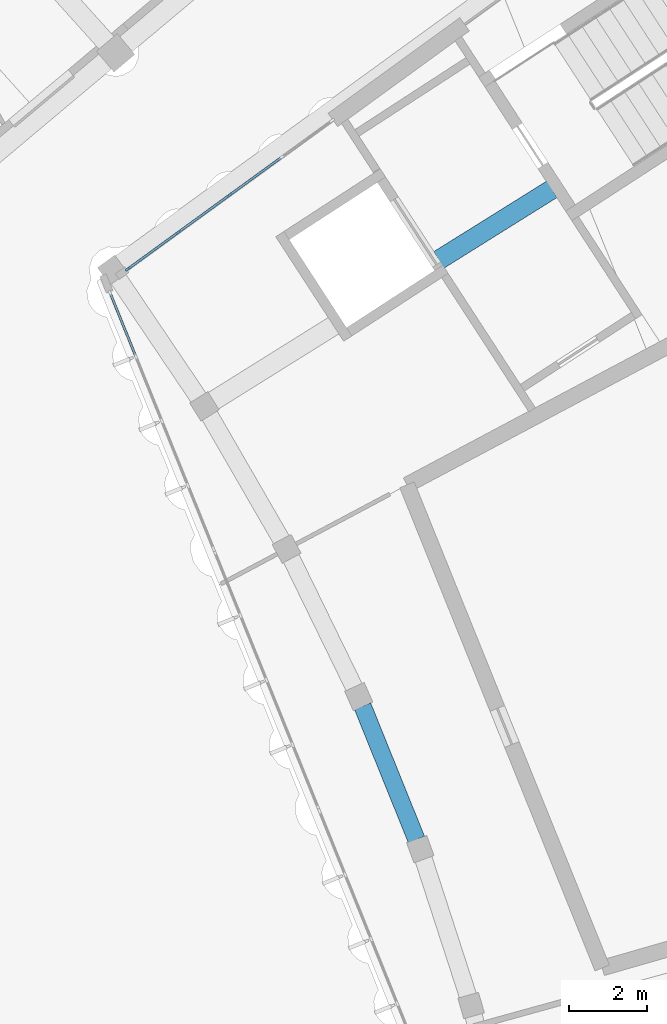
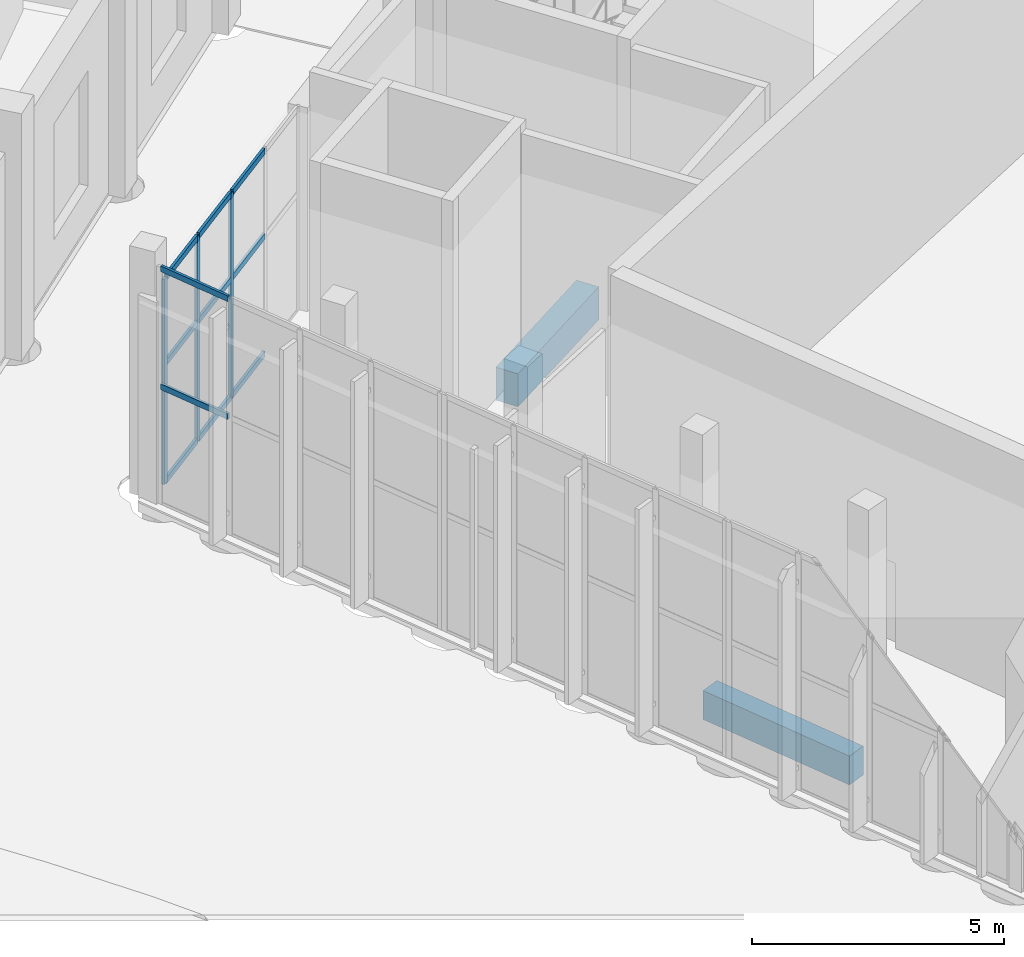
# One storey, part 51 of 155: 14 members, 2 beams, 2 elements without a shape of their own.
"""IFC4 building model written with IfcOpenShell, lengths in metres."""

from ifc_helpers import new_model, si_unit, direction, frame, origin, origin_2d, place, context, subcontext, project, spatial, rectangle, extrude, material, layer, layer_set, material_profile, profile_set, type_object, element, aggregate, save


model = new_model("IFC4")

# Units and contexts
model_context = context("Model", 3, precision=1e-05, world=origin(), true_north=direction((0.0, 1.0)))
body_context = subcontext(model_context, "Body", "Model", "MODEL_VIEW")
ifc_project = project(units=[si_unit("LENGTHUNIT", "METRE"), si_unit("AREAUNIT", "SQUARE_METRE"), si_unit("VOLUMEUNIT", "CUBIC_METRE"), si_unit("PLANEANGLEUNIT", "RADIAN"), si_unit("MASSUNIT", "GRAM", prefix="KILO")], contexts=[model_context])

# Site, building, storey
site_placement = place(None, origin())
site = spatial("IfcSite", under=ifc_project, at=site_placement, CompositionType="ELEMENT")
building_placement = place(site_placement, origin())
building = spatial("IfcBuilding", under=site, at=building_placement, Name="Lunette Opera House", CompositionType="ELEMENT")
storey_placement = place(building_placement, origin())
storey = spatial("IfcBuildingStorey", under=building, at=storey_placement, Name="L00", CompositionType="ELEMENT", Elevation=0.0)

# Curtain wall, members
ifc_material_1 = material(Name="Aluminium", Category="aluminium")
ifc_layer = layer(ifc_material_1, 0.139892578125)
ifc_layer_set = layer_set([ifc_layer], Name="Aluminium")
curtain_wall_type = type_object("IfcCurtainWallType", Name="STUDIO CURTAIN WALL", PredefinedType="NOTDEFINED", material=ifc_layer_set)
curtain_wall_1_placement = place(storey_placement, origin())
curtain_wall_1 = element("IfcCurtainWall", 1, at=curtain_wall_1_placement, inside=storey, type_object=curtain_wall_type, Name="Studio Curtain Wall F18 L00", PredefinedType="NOTDEFINED")
ifc_material_2 = material(Name="Aluminium", Category="aluminium")
ifc_material_profile_1 = material_profile(ifc_material_2, rectangle(XDim=0.06005859375, YDim=0.139892578125, at=origin_2d()), Name="MULLION 60 X 140")
ifc_profile_set_1 = profile_set([ifc_material_profile_1], Name="Aluminium")
member_type_1 = type_object("IfcMemberType", Name="MULLION 60 X 140", PredefinedType="MULLION", material=ifc_profile_set_1)
member_1_placement = place(storey_placement, frame((147.96142578125, 37.492919921875, 0.0), z_axis=(0.0, 0.0, 1.0), x_axis=(0.587771589927, -0.809026920488, 0.0)))
member_1 = element("IfcMember", 2, at=member_1_placement, type_object=member_type_1, Name="SB-X2006 mullion 3", PredefinedType="MULLION", context=body_context, shape_type="SweptSolid", body=[
    extrude(rectangle(XDim=0.06005859375, YDim=0.139892578125, at=origin_2d()), origin(), (0.0, 0.0, 1.0), 4.97998046875),
])
member_2_placement = place(storey_placement, frame((146.638671875, 36.531982421875, 0.0), z_axis=(0.0, 0.0, 1.0), x_axis=(0.587771589927, -0.809026920488, 0.0)))
member_2 = element("IfcMember", 3, at=member_2_placement, type_object=member_type_1, Name="SB-X2006 mullion 4", PredefinedType="MULLION", context=body_context, shape_type="SweptSolid", body=[
    extrude(rectangle(XDim=0.06005859375, YDim=0.139892578125, at=origin_2d()), origin(), (0.0, 0.0, 1.0), 4.97998046875),
])
member_3_placement = place(storey_placement, frame((145.34033203125, 35.588623046875, 0.0), z_axis=(0.0, 0.0, 1.0), x_axis=(0.587771589927, -0.809026920488, 0.0)))
member_3 = element("IfcMember", 4, at=member_3_placement, type_object=member_type_1, Name="SB-X2006 mullion 5", PredefinedType="MULLION", context=body_context, shape_type="SweptSolid", body=[
    extrude(rectangle(XDim=0.06005859375, YDim=0.139892578125, at=origin_2d()), origin(), (0.0, 0.0, 1.0), 4.97998046875),
])

# Beams
ifc_material_3 = material(Name="Concrete C35/45", Category="concrete")
ifc_material_profile_2 = material_profile(ifc_material_3, rectangle(XDim=0.449951171875, YDim=0.699951171875, at=origin_2d()), Name="RC BEAM 450X700")
ifc_profile_set_2 = profile_set([ifc_material_profile_2], Name="Concrete C35/45")
beam_type_1 = type_object("IfcBeamType", Name="RC BEAM 450X700", PredefinedType="BEAM", material=ifc_profile_set_2)
beam_1_placement = place(storey_placement, frame((151.368896484375, 24.362060546875, -0.570068359375), z_axis=(0.374523169532, -0.927217555638, 0.0), x_axis=(0.927217555638, 0.374523169532, 0.0)))
element("IfcBeam", 5, at=beam_1_placement, inside=storey, type_object=beam_type_1, Name="beam-SB-L00-L00-RG03", PredefinedType="BEAM", context=body_context, shape_type="SweptSolid", body=[
    extrude(rectangle(XDim=0.449951171875, YDim=0.699951171875, at=origin_2d()), origin(), (0.0, 0.0, 1.0), 3.69287109375),
])
ifc_material_4 = material(Name="Concrete C35/45", Category="concrete")
ifc_material_profile_3 = material_profile(ifc_material_4, rectangle(XDim=0.5, YDim=0.800048828125, at=origin_2d()), Name="RC BEAM 500X800")
ifc_profile_set_3 = profile_set([ifc_material_profile_3], Name="Concrete C35/45")
beam_type_2 = type_object("IfcBeamType", Name="RC BEAM 500X800", PredefinedType="BEAM", material=ifc_profile_set_3)
beam_2_placement = place(storey_placement, frame((153.3291015625, 35.822998046875, -0.6201171875), z_axis=(0.848054454248, 0.529909089024, 0.0), x_axis=(-0.529909089024, 0.848054454248, 0.0)))
element("IfcBeam", 6, at=beam_2_placement, inside=storey, type_object=beam_type_2, Name="beam-SB-L00-L00-RB01-1", PredefinedType="BEAM", context=body_context, shape_type="SweptSolid", body=[
    extrude(rectangle(XDim=0.5, YDim=0.800048828125, at=origin_2d()), origin(), (0.0, 0.0, 1.0), 3.41943359375),
])

# Curtain wall, members
curtain_wall_2_placement = place(storey_placement, origin())
curtain_wall_2 = element("IfcCurtainWall", 7, at=curtain_wall_2_placement, inside=storey, type_object=curtain_wall_type, Name="Studio Curtain Wall F01 L00", PredefinedType="NOTDEFINED")
ifc_material_5 = material(Name="Aluminium", Category="aluminium")
ifc_material_profile_4 = material_profile(ifc_material_5, rectangle(XDim=0.06005859375, YDim=0.139892578125, at=origin_2d()), Name="TRANSOM 60 X 140")
ifc_profile_set_4 = profile_set([ifc_material_profile_4], Name="Aluminium")
member_type_2 = type_object("IfcMemberType", Name="TRANSOM 60 X 140", PredefinedType="USERDEFINED", material=ifc_profile_set_4)
member_4_placement = place(storey_placement, frame((144.8984375, 34.943359375, 2.889892578125), z_axis=(0.374639140431, -0.927170704055, 0.0), x_axis=(0.927170704055, 0.374639140431, 0.0)))
member_4 = element("IfcMember", 8, at=member_4_placement, type_object=member_type_2, Name="SB-X2001 transom 1.2", ObjectType="TRANSOM", PredefinedType="USERDEFINED", context=body_context, shape_type="SweptSolid", body=[
    extrude(rectangle(XDim=0.06005859375, YDim=0.139892578125, at=origin_2d()), origin(), (0.0, 0.0, 1.0), 1.6962890625),
])
member_5_placement = place(storey_placement, frame((144.8984375, 34.943359375, 5.75), z_axis=(0.374639140431, -0.927170704055, 0.0), x_axis=(0.927170704055, 0.374639140431, 0.0)))
member_5 = element("IfcMember", 9, at=member_5_placement, type_object=member_type_2, Name="SB-X2001 transom 1.3", ObjectType="TRANSOM", PredefinedType="USERDEFINED", context=body_context, shape_type="SweptSolid", body=[
    extrude(rectangle(XDim=0.06005859375, YDim=0.139892578125, at=origin_2d()), origin(), (0.0, 0.0, 1.0), 1.6962890625),
])
aggregate(curtain_wall_2, [member_4, member_5])

# Member
member_6_placement = place(storey_placement, frame((149.260009765625, 38.436279296875, 0.030029296875), z_axis=(-0.809077841645, -0.587701494094, 0.0), x_axis=(0.587701494094, -0.809077841645, 0.0)))
member_6 = element("IfcMember", 10, at=member_6_placement, type_object=member_type_2, Name="SB-X2006 transom 2.1", ObjectType="TRANSOM", PredefinedType="USERDEFINED", context=body_context, shape_type="SweptSolid", body=[
    extrude(rectangle(XDim=0.06005859375, YDim=0.139892578125, at=origin_2d()), origin(), (0.0, 0.0, 1.0), 1.574951171875),
])

member_7_placement = place(storey_placement, frame((149.260009765625, 38.436279296875, 2.889892578125), z_axis=(-0.809077841645, -0.587701494094, 0.0), x_axis=(0.587701494094, -0.809077841645, 0.0)))
member_7 = element("IfcMember", 11, at=member_7_placement, type_object=member_type_2, Name="SB-X2006 transom 2.2", ObjectType="TRANSOM", PredefinedType="USERDEFINED", context=body_context, shape_type="SweptSolid", body=[
    extrude(rectangle(XDim=0.06005859375, YDim=0.139892578125, at=origin_2d()), origin(), (0.0, 0.0, 1.0), 1.574951171875),
])

member_8_placement = place(storey_placement, frame((149.260009765625, 38.436279296875, 4.949951171875), z_axis=(-0.809077841645, -0.587701494094, 0.0), x_axis=(0.587701494094, -0.809077841645, 0.0)))
member_8 = element("IfcMember", 12, at=member_8_placement, type_object=member_type_2, Name="SB-X2006 transom 2.3", ObjectType="TRANSOM", PredefinedType="USERDEFINED", context=body_context, shape_type="SweptSolid", body=[
    extrude(rectangle(XDim=0.06005859375, YDim=0.139892578125, at=origin_2d()), origin(), (0.0, 0.0, 1.0), 1.574951171875),
])

member_9_placement = place(storey_placement, frame((147.937255859375, 37.475341796875, 0.030029296875), z_axis=(-0.809004127975, -0.587802960966, 0.0), x_axis=(0.587802960966, -0.809004127975, 0.0)))
member_9 = element("IfcMember", 13, at=member_9_placement, type_object=member_type_2, Name="SB-X2006 transom 3.1", ObjectType="TRANSOM", PredefinedType="USERDEFINED", context=body_context, shape_type="SweptSolid", body=[
    extrude(rectangle(XDim=0.06005859375, YDim=0.139892578125, at=origin_2d()), origin(), (0.0, 0.0, 1.0), 1.574951171875),
])

member_10_placement = place(storey_placement, frame((147.937255859375, 37.475341796875, 2.889892578125), z_axis=(-0.809004127975, -0.587802960966, 0.0), x_axis=(0.587802960966, -0.809004127975, 0.0)))
member_10 = element("IfcMember", 14, at=member_10_placement, type_object=member_type_2, Name="SB-X2006 transom 3.2", ObjectType="TRANSOM", PredefinedType="USERDEFINED", context=body_context, shape_type="SweptSolid", body=[
    extrude(rectangle(XDim=0.06005859375, YDim=0.139892578125, at=origin_2d()), origin(), (0.0, 0.0, 1.0), 1.574951171875),
])

member_11_placement = place(storey_placement, frame((147.937255859375, 37.475341796875, 4.949951171875), z_axis=(-0.809004127975, -0.587802960966, 0.0), x_axis=(0.587802960966, -0.809004127975, 0.0)))
member_11 = element("IfcMember", 15, at=member_11_placement, type_object=member_type_2, Name="SB-X2006 transom 3.3", ObjectType="TRANSOM", PredefinedType="USERDEFINED", context=body_context, shape_type="SweptSolid", body=[
    extrude(rectangle(XDim=0.06005859375, YDim=0.139892578125, at=origin_2d()), origin(), (0.0, 0.0, 1.0), 1.574951171875),
])

member_12_placement = place(storey_placement, frame((146.614501953125, 36.514404296875, 0.030029296875), z_axis=(-0.809009310944, -0.587795827483, 0.0), x_axis=(0.587795827483, -0.809009310944, 0.0)))
member_12 = element("IfcMember", 16, at=member_12_placement, type_object=member_type_2, Name="SB-X2006 transom 4.1", ObjectType="TRANSOM", PredefinedType="USERDEFINED", context=body_context, shape_type="SweptSolid", body=[
    extrude(rectangle(XDim=0.06005859375, YDim=0.139892578125, at=origin_2d()), origin(), (0.0, 0.0, 1.0), 1.545166015625),
])

member_13_placement = place(storey_placement, frame((146.614501953125, 36.514404296875, 2.889892578125), z_axis=(-0.809009310944, -0.587795827483, 0.0), x_axis=(0.587795827483, -0.809009310944, 0.0)))
member_13 = element("IfcMember", 17, at=member_13_placement, type_object=member_type_2, Name="SB-X2006 transom 4.2", ObjectType="TRANSOM", PredefinedType="USERDEFINED", context=body_context, shape_type="SweptSolid", body=[
    extrude(rectangle(XDim=0.06005859375, YDim=0.139892578125, at=origin_2d()), origin(), (0.0, 0.0, 1.0), 1.545166015625),
])

member_14_placement = place(storey_placement, frame((146.614501953125, 36.514404296875, 4.949951171875), z_axis=(-0.809009310944, -0.587795827483, 0.0), x_axis=(0.587795827483, -0.809009310944, 0.0)))
member_14 = element("IfcMember", 18, at=member_14_placement, type_object=member_type_2, Name="SB-X2006 transom 4.3", ObjectType="TRANSOM", PredefinedType="USERDEFINED", context=body_context, shape_type="SweptSolid", body=[
    extrude(rectangle(XDim=0.06005859375, YDim=0.139892578125, at=origin_2d()), origin(), (0.0, 0.0, 1.0), 1.545166015625),
])

aggregate(curtain_wall_1, [member_1, member_2, member_3, member_6, member_7, member_8, member_9, member_10, member_11, member_12, member_13, member_14])

save(model, "model.ifc")
